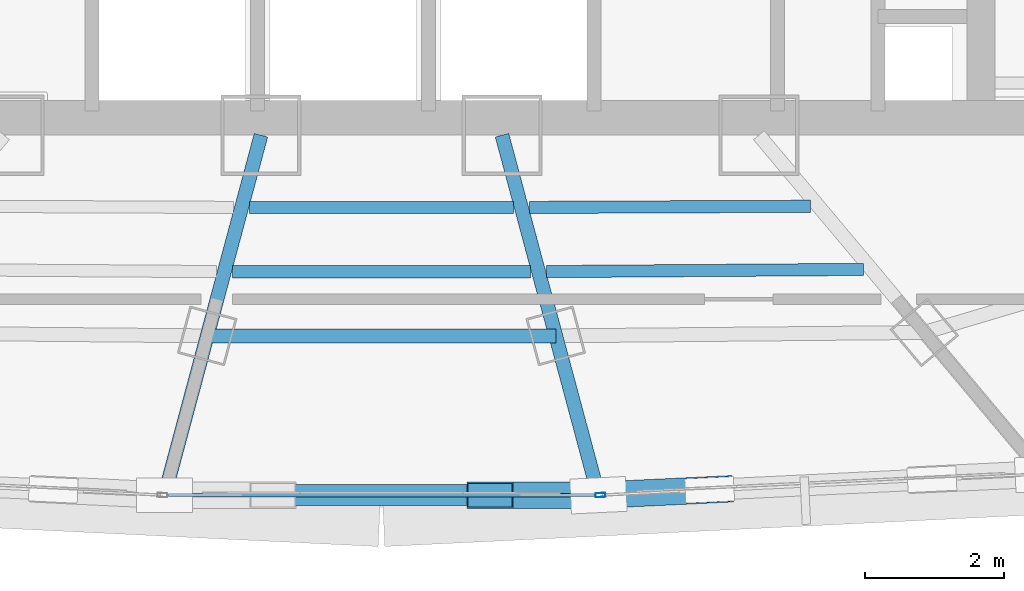
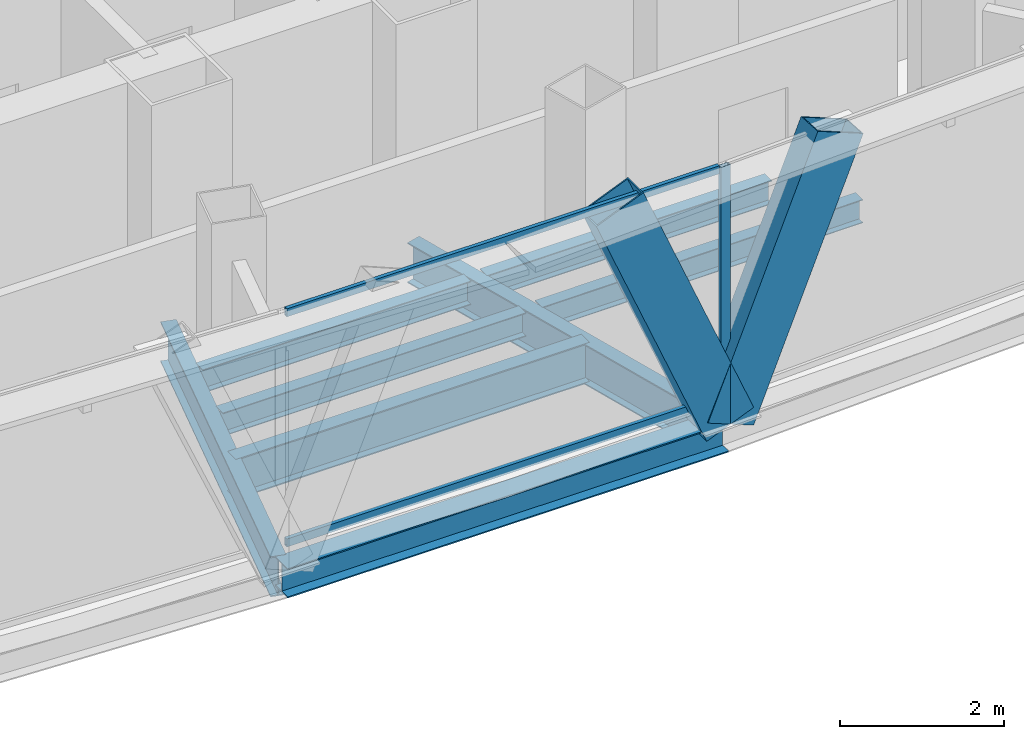
# One storey, part 5 of 30: 8 beams, 5 members, 2 elements without a shape of their own.
"""IFC4 building model written with IfcOpenShell, lengths in metres."""

import ifcopenshell
import ifcopenshell.guid

model = None  # the IFC model being written
_history = None  # IfcOwnerHistory: only IFC2X3 demands one
_inside = {}  # id of a spatial element -> (the spatial element, [elements in it])
_under = {}  # id of a project, library or spatial element -> (it, [spatial elements below it])
_declared = {}  # id of a project -> (the project, [libraries it declares])
_typed = {}  # id of a type object -> (the type object, [elements of that type])
_made_of = {}  # id of a material, layer set ... -> (it, [elements and type objects made of it])


def new_model(schema):
    """Start an empty IFC model of exactly this schema.

    Asked for "IFC4X3", IfcOpenShell would pick the latest addendum, in which some entities
    have other attributes; the version numbers below select the first issue.
    IFC2X3 requires an IfcOwnerHistory on every rooted entity: one is made here for all.
    """
    global model, _history
    if schema == "IFC4X3":
        model = ifcopenshell.file(schema_version=(4, 3, 0, 0))
    else:
        model = ifcopenshell.file(schema=schema)
    _inside.clear()
    _under.clear()
    _declared.clear()
    _typed.clear()
    _made_of.clear()
    _history = None
    if model.schema == "IFC2X3":
        org = make("IfcOrganization", Name="unknown")
        user = make(
            "IfcPersonAndOrganization",
            ThePerson=make("IfcPerson", FamilyName="unknown"),
            TheOrganization=org,
        )
        app = make(
            "IfcApplication",
            ApplicationDeveloper=org,
            Version="unknown",
            ApplicationFullName="unknown",
            ApplicationIdentifier="unknown",
        )
        _history = make(
            "IfcOwnerHistory",
            OwningUser=user,
            OwningApplication=app,
            ChangeAction="ADDED",
            CreationDate=0,
        )
    return model


def make(cls, **values):
    """One entity of the class cls with the attributes given. An attribute that is None is left unset."""
    return model.create_entity(
        cls, **{name: value for name, value in values.items() if value is not None}
    )


def rooted(cls, **values):
    """An entity with a GlobalId (a new one), such as an element, a storey or a relation."""
    return make(cls, GlobalId=ifcopenshell.guid.new(), OwnerHistory=_history, **values)


def si_unit(unit_type, name, prefix=None):
    """IfcSIUnit, for example si_unit("LENGTHUNIT", "METRE", prefix="MILLI")."""
    return make("IfcSIUnit", UnitType=unit_type, Prefix=prefix, Name=name)


def assignment(units):
    """IfcUnitAssignment: the units of a project."""
    return None if units is None else make("IfcUnitAssignment", Units=units)


def point(xyz):
    """IfcCartesianPoint."""
    return None if xyz is None else make("IfcCartesianPoint", Coordinates=xyz)


def direction(xyz):
    """IfcDirection."""
    return None if xyz is None else make("IfcDirection", DirectionRatios=xyz)


def frame(location, z_axis=None, x_axis=None):
    """IfcAxis2Placement3D, a coordinate frame: its origin and axes. An axis left out is left unset."""
    return make(
        "IfcAxis2Placement3D",
        Location=point(location),
        Axis=direction(z_axis),
        RefDirection=direction(x_axis),
    )


def frame_2d(location, x_axis=None):
    """IfcAxis2Placement2D, a coordinate frame in the plane: its origin and x axis."""
    return make(
        "IfcAxis2Placement2D", Location=point(location), RefDirection=direction(x_axis)
    )


def origin():
    """The frame at (0, 0, 0) with its axes left unset."""
    return frame((0.0, 0.0, 0.0))


def origin_2d():
    """The frame at (0, 0) in the plane with its x axis left unset."""
    return frame_2d((0.0, 0.0))


def place(relative_to, where):
    """IfcLocalPlacement: puts the frame where relative to a parent placement (None: the world)."""
    return make(
        "IfcLocalPlacement", PlacementRelTo=relative_to, RelativePlacement=where
    )


def context(
    kind, dimensions, precision=None, world=None, true_north=None, identifier=None
):
    """IfcGeometricRepresentationContext, for example the 3D "Model" context."""
    return make(
        "IfcGeometricRepresentationContext",
        ContextIdentifier=identifier,
        ContextType=kind,
        CoordinateSpaceDimension=dimensions,
        Precision=precision,
        WorldCoordinateSystem=world,
        TrueNorth=true_north,
    )


def subcontext(parent, identifier, kind, view, scale=None):
    """IfcGeometricRepresentationSubContext, for example "Body" below "Model"."""
    return make(
        "IfcGeometricRepresentationSubContext",
        ContextIdentifier=identifier,
        ContextType=kind,
        ParentContext=parent,
        TargetScale=scale,
        TargetView=view,
    )


def project(units=None, contexts=None):
    """IfcProject with its units and contexts."""
    return rooted(
        "IfcProject",
        Name="project",
        RepresentationContexts=contexts,
        UnitsInContext=assignment(units),
    )


def spatial(cls, under=None, at=None, **own):
    """A site, building, storey or space (cls), placed at a placement, below another one or the project."""
    s = rooted(cls, ObjectPlacement=at, **own)
    if under is not None:
        _under.setdefault(under.id(), (under, []))[1].append(s)
    return s


def profile(cls, at=None, kind="AREA", **sizes):
    """A parametric profile (cls). Its sizes go by their IFC names, for example OverallWidth=200.0."""
    return make(cls, ProfileType=kind, Position=at, **sizes)


def hollow_rectangle(**sizes):
    """IfcRectangleHollowProfileDef."""
    return profile("IfcRectangleHollowProfileDef", **sizes)


def i_section(**sizes):
    """IfcIShapeProfileDef."""
    return profile("IfcIShapeProfileDef", **sizes)


def extrude(swept, where, along, depth):
    """IfcExtrudedAreaSolid: the profile swept, set in the frame where, extruded along a direction by depth."""
    return make(
        "IfcExtrudedAreaSolid",
        SweptArea=swept,
        Position=where,
        ExtrudedDirection=direction(along),
        Depth=depth,
    )


def shape(context_of_items, identifier, shape_type, items):
    """IfcShapeRepresentation: the items that make up one representation, for example the "Body"."""
    return make(
        "IfcShapeRepresentation",
        ContextOfItems=context_of_items,
        RepresentationIdentifier=identifier,
        RepresentationType=shape_type,
        Items=items,
    )


def source(mapping_origin, context_of_items, identifier, shape_type, items):
    """IfcRepresentationMap: a shape defined once, which mapped items show again and again."""
    return make(
        "IfcRepresentationMap",
        MappingOrigin=mapping_origin,
        MappedRepresentation=shape(context_of_items, identifier, shape_type, items),
    )


def transform(
    local_origin,
    x_axis=None,
    y_axis=None,
    z_axis=None,
    scale=None,
    scale2=None,
    scale3=None,
    uniform=True,
):
    """IfcCartesianTransformationOperator3D, or its non-uniform kind. x_axis, y_axis, z_axis: its Axis1, 2, 3."""
    if uniform:
        return make(
            "IfcCartesianTransformationOperator3D",
            Axis1=direction(x_axis),
            Axis2=direction(y_axis),
            LocalOrigin=point(local_origin),
            Scale=scale,
            Axis3=direction(z_axis),
        )
    return make(
        "IfcCartesianTransformationOperator3DnonUniform",
        Axis1=direction(x_axis),
        Axis2=direction(y_axis),
        LocalOrigin=point(local_origin),
        Scale=scale,
        Axis3=direction(z_axis),
        Scale2=scale2,
        Scale3=scale3,
    )


def mapped(mapping_source, mapping_target):
    """IfcMappedItem: shows the shape of a source again, moved by a transform."""
    return make(
        "IfcMappedItem", MappingSource=mapping_source, MappingTarget=mapping_target
    )


def material(Name=None, Category=None):
    """IfcMaterial."""
    return make("IfcMaterial", Name=Name, Category=Category)


def layer(
    of_material, thickness, ventilated=None, Name=None, Category=None, Priority=None
):
    """IfcMaterialLayer: one layer of a wall or slab, of a material (None: an air gap)."""
    return make(
        "IfcMaterialLayer",
        Material=of_material,
        LayerThickness=thickness,
        IsVentilated=ventilated,
        Name=Name,
        Category=Category,
        Priority=Priority,
    )


def layer_set(layers, Name=None):
    """IfcMaterialLayerSet."""
    return make("IfcMaterialLayerSet", MaterialLayers=layers, LayerSetName=Name)


def material_profile(
    of_material, cross_section, Name=None, Category=None, Priority=None
):
    """IfcMaterialProfile: a cross section and its material."""
    return make(
        "IfcMaterialProfile",
        Name=Name,
        Material=of_material,
        Profile=cross_section,
        Priority=Priority,
        Category=Category,
    )


def profile_set(profiles, Name=None, composite=None):
    """IfcMaterialProfileSet."""
    return make(
        "IfcMaterialProfileSet",
        Name=Name,
        MaterialProfiles=profiles,
        CompositeProfile=composite,
    )


def made_of(thing, what):
    """Note that an element or type object is made of a material, layer set ...; save() writes the relation."""
    if what is not None:
        _made_of.setdefault(what.id(), (what, []))[1].append(thing)
    return thing


def type_object(cls, material=None, **own):
    """A type object (cls), such as IfcWallType, which elements share."""
    return made_of(rooted(cls, **own), material)


def element(
    cls,
    number,
    at=None,
    inside=None,
    cuts=None,
    type_object=None,
    material=None,
    context=None,
    identifier="Body",
    shape_type=None,
    held_by="IfcProductDefinitionShape",
    body=None,
    shapes=None,
    **own,
):
    """One element of the class cls, such as IfcWall. Its Tag is "e" and its number.

    at: its placement. inside: the storey or other place that contains it. cuts: it is an
    opening in that element (IfcRelVoidsElement). A single representation is given by context,
    identifier, shape_type and body (its items); several are given by shapes. held_by: the class
    of the entity that holds the representations. save() writes the other relations.
    """
    e = rooted(cls, Tag="e%d" % number, ObjectPlacement=at, **own)
    if body is not None:
        shapes = [shape(context, identifier, shape_type, body)]
    if shapes is not None:
        e.Representation = make(held_by, Representations=shapes)
    if inside is not None:
        _inside.setdefault(inside.id(), (inside, []))[1].append(e)
    if cuts is not None:
        rooted(
            "IfcRelVoidsElement", RelatingBuildingElement=cuts, RelatedOpeningElement=e
        )
    if type_object is not None:
        _typed.setdefault(type_object.id(), (type_object, []))[1].append(e)
    return made_of(e, material)


def aggregate(whole, parts):
    """IfcRelAggregates: a whole, such as a stair, and the parts it consists of."""
    return rooted("IfcRelAggregates", RelatingObject=whole, RelatedObjects=parts)


def save(model, path):
    """Write the relations noted so far, then the file.

    IfcRelAggregates (storeys below a building ...), IfcRelContainedInSpatialStructure (elements
    in a storey), IfcRelDefinesByType, IfcRelAssociatesMaterial and IfcRelDeclares: one each for
    every whole, place, type object, material and project.
    """
    for whole, parts in _under.values():
        aggregate(whole, parts)
    for where, things in _inside.values():
        rooted(
            "IfcRelContainedInSpatialStructure",
            RelatedElements=things,
            RelatingStructure=where,
        )
    for kind, things in _typed.values():
        rooted("IfcRelDefinesByType", RelatedObjects=things, RelatingType=kind)
    for what, things in _made_of.values():
        rooted("IfcRelAssociatesMaterial", RelatedObjects=things, RelatingMaterial=what)
    for by, libraries in _declared.values():
        rooted("IfcRelDeclares", RelatingContext=by, RelatedDefinitions=libraries)
    model.write(path)


model = new_model("IFC4")

# Units and contexts
model_context = context("Model", 3, precision=1e-05, world=origin(), true_north=direction((0.0, 1.0)))
body_context = subcontext(model_context, "Body", "Model", "MODEL_VIEW")
ifc_project = project(units=[si_unit("LENGTHUNIT", "METRE"), si_unit("AREAUNIT", "SQUARE_METRE"), si_unit("VOLUMEUNIT", "CUBIC_METRE"), si_unit("PLANEANGLEUNIT", "RADIAN"), si_unit("MASSUNIT", "GRAM", prefix="KILO"), si_unit("THERMODYNAMICTEMPERATUREUNIT", "KELVIN"), si_unit("POWERUNIT", "WATT")], contexts=[model_context])

# Site, building, storey
site_placement = place(None, origin())
site = spatial("IfcSite", under=ifc_project, at=site_placement, CompositionType="ELEMENT")
building_placement = place(site_placement, origin())
building = spatial("IfcBuilding", under=site, at=building_placement, Name="Yunzhuo Pagoda Commons", CompositionType="ELEMENT")
storey_placement = place(building_placement, frame((0.0, 0.0, 351.760009765625)))
storey = spatial("IfcBuildingStorey", under=building, at=storey_placement, Name="L88", CompositionType="ELEMENT", Elevation=351.760009765625)

# Beams
ifc_material_1 = material(Name="Structural steel Q355B", Category="steel")
ifc_material_profile_1 = material_profile(ifc_material_1, i_section(OverallWidth=0.199951171875, OverallDepth=0.60009765625, WebThickness=0.010986328125, FlangeThickness=0.01708984375, at=origin_2d()), Name="Structural steel Q355B")
ifc_profile_set_1 = profile_set([ifc_material_profile_1], Name="Structural steel Q355B")
beam_type_1 = type_object("IfcBeamType", Name="B-RG3 Beam HN 600x200x11x17", PredefinedType="BEAM", material=ifc_profile_set_1)
shared_shape_1 = source(origin(), body_context, "Body", "SweptSolid", [
    extrude(i_section(OverallWidth=0.199951171875, OverallDepth=0.60009765625, WebThickness=0.010986328125, FlangeThickness=0.01708984375, at=origin_2d()), origin(), (0.0, 0.0, 1.0), 4.99853515625),
])
beam_1_placement = place(storey_placement, frame((45.500732421875, 24.372802734375, -0.56005859375), z_axis=(1.0, 0.0, 0.0), x_axis=(0.0, 1.0, 0.0)))
element("IfcBeam", 1, at=beam_1_placement, inside=storey, type_object=beam_type_1, Name="L88 column-ring beam 2", PredefinedType="BEAM", context=body_context, shape_type="MappedRepresentation", body=[
    mapped(shared_shape_1, transform((0.0, 0.0, 0.0), scale=1.0)),
])
ifc_material_profile_2 = material_profile(ifc_material_1, i_section(OverallWidth=0.175048828125, OverallDepth=0.35009765625, WebThickness=0.007080078125, FlangeThickness=0.010986328125, at=origin_2d()), Name="Structural steel Q355B")
ifc_profile_set_2 = profile_set([ifc_material_profile_2], Name="Structural steel Q355B")
beam_type_2 = type_object("IfcBeamType", Name="B-JS2 Joist HN 350x175x7x11", PredefinedType="JOIST", material=ifc_profile_set_2)
shared_shape_2 = source(origin(), body_context, "Body", "SweptSolid", [
    extrude(i_section(OverallWidth=0.175048828125, OverallDepth=0.35009765625, WebThickness=0.007080078125, FlangeThickness=0.010986328125, at=origin_2d()), origin(), (0.0, 0.0, 1.0), 4.03076171875),
])
beam_2_placement = place(storey_placement, frame((50.120849609375, 26.214599609375, -0.43505859375), z_axis=(0.999991518197, 0.004118680996, 0.0), x_axis=(-0.004118680996, 0.999991518197, 0.0)))
element("IfcBeam", 2, at=beam_2_placement, inside=storey, type_object=beam_type_2, Name="L88 composite ring joist 1.3", PredefinedType="JOIST", context=body_context, shape_type="MappedRepresentation", body=[
    mapped(shared_shape_2, transform((0.0, 0.0, 0.0), scale=1.0)),
])
shared_shape_3 = source(origin(), body_context, "Body", "SweptSolid", [
    extrude(i_section(OverallWidth=0.175048828125, OverallDepth=0.35009765625, WebThickness=0.007080078125, FlangeThickness=0.010986328125, at=origin_2d()), origin(), (0.0, 0.0, 1.0), 4.54345703125),
])
beam_3_placement = place(storey_placement, frame((50.367431640625, 25.29443359375, -0.43505859375), z_axis=(0.999975976237, 0.006931590593, 0.0), x_axis=(-0.006931590593, 0.999975976237, 0.0)))
element("IfcBeam", 3, at=beam_3_placement, inside=storey, type_object=beam_type_2, Name="L88 composite ring joist 2.3", PredefinedType="JOIST", context=body_context, shape_type="MappedRepresentation", body=[
    mapped(shared_shape_3, transform((0.0, 0.0, 0.0), scale=1.0)),
])
shared_shape_4 = source(origin(), body_context, "Body", "SweptSolid", [
    extrude(i_section(OverallWidth=0.175048828125, OverallDepth=0.35009765625, WebThickness=0.007080078125, FlangeThickness=0.010986328125, at=origin_2d()), origin(), (0.0, 0.0, 1.0), 3.78173828125),
])
beam_4_placement = place(storey_placement, frame((46.109130859375, 26.214111328125, -0.43505859375), z_axis=(1.0, 0.0, 0.0), x_axis=(0.0, 1.0, 0.0)))
element("IfcBeam", 4, at=beam_4_placement, inside=storey, type_object=beam_type_2, Name="L88 composite ring joist 1.2", PredefinedType="JOIST", context=body_context, shape_type="MappedRepresentation", body=[
    mapped(shared_shape_4, transform((0.0, 0.0, 0.0), scale=1.0)),
])
shared_shape_5 = source(origin(), body_context, "Body", "SweptSolid", [
    extrude(i_section(OverallWidth=0.175048828125, OverallDepth=0.35009765625, WebThickness=0.007080078125, FlangeThickness=0.010986328125, at=origin_2d()), origin(), (0.0, 0.0, 1.0), 4.27490234375),
])
beam_5_placement = place(storey_placement, frame((45.862548828125, 25.29345703125, -0.43505859375), z_axis=(1.0, 0.0, 0.0), x_axis=(0.0, 1.0, 0.0)))
element("IfcBeam", 5, at=beam_5_placement, inside=storey, type_object=beam_type_2, Name="L88 composite ring joist 2.2", PredefinedType="JOIST", context=body_context, shape_type="MappedRepresentation", body=[
    mapped(shared_shape_5, transform((0.0, 0.0, 0.0), scale=1.0)),
])
shared_shape_6 = source(origin(), body_context, "Body", "SweptSolid", [
    extrude(i_section(OverallWidth=0.199951171875, OverallDepth=0.60009765625, WebThickness=0.010986328125, FlangeThickness=0.01708984375, at=origin_2d()), origin(), (0.0, 0.0, 1.0), 5.189453125),
])
for number, where, z_axis, x_axis, name in (
    (6, (44.9287109375, 22.2373046875, -0.56005859375), (0.258839551131, 0.965920331482, 0.0), (-0.965920331482, 0.258839551131, 0.0), "L88 radial floor girder F1C2"),
    (7, (51.0712890625, 22.2373046875, -0.56005859375), (-0.258751762449, 0.96594385211, 0.0), (-0.96594385211, -0.258751762449, 0.0), "L88 radial floor girder F1C3"),
):
    element("IfcBeam", number, at=place(storey_placement, frame(where, z_axis=z_axis, x_axis=x_axis)), inside=storey, type_object=beam_type_1, Name=name, PredefinedType="BEAM", context=body_context, shape_type="MappedRepresentation", body=[
        mapped(shared_shape_6, transform((0.0, 0.0, 0.0), scale=1.0)),
    ])
ifc_material_profile_3 = material_profile(ifc_material_1, i_section(OverallWidth=0.300048828125, OverallDepth=0.43994140625, WebThickness=0.010986328125, FlangeThickness=0.01806640625, at=origin_2d()), Name="Structural steel Q355B")
ifc_profile_set_3 = profile_set([ifc_material_profile_3], Name="Structural steel Q355B")
beam_type_3 = type_object("IfcBeamType", Name="B-SP2 Beam HM 440x300x11x18", PredefinedType="BEAM", material=ifc_profile_set_3)
shared_shape_7 = source(origin(), body_context, "Body", "SweptSolid", [
    extrude(i_section(OverallWidth=0.300048828125, OverallDepth=0.43994140625, WebThickness=0.010986328125, FlangeThickness=0.01806640625, at=origin_2d()), origin(), (0.0, 0.0, 1.0), 6.22314453125),
])
beam_6_placement = place(storey_placement, frame((44.888427734375, 22.087890625, -0.47998046875), z_axis=(1.0, 0.0, 0.0), x_axis=(0.0, 1.0, 0.0)))
element("IfcBeam", 8, at=beam_6_placement, inside=storey, type_object=beam_type_3, Name="L88 facade edge spandrel beam F1.2", PredefinedType="BEAM", context=body_context, shape_type="MappedRepresentation", body=[
    mapped(shared_shape_7, transform((0.0, 0.0, 0.0), scale=1.0)),
])

# Members
ifc_material_profile_4 = material_profile(ifc_material_1, hollow_rectangle(XDim=0.3798828125, YDim=0.719970703125, WallThickness=0.02001953125, at=origin_2d()), Name="Structural steel Q355B")
ifc_profile_set_4 = profile_set([ifc_material_profile_4], Name="Structural steel Q355B")
member_type_1 = type_object("IfcMemberType", Name="M-DL3 Brace BOX 720x380x20", PredefinedType="BRACE", material=ifc_profile_set_4)
shared_shape_8 = source(origin(), body_context, "Body", "SweptSolid", [
    extrude(hollow_rectangle(XDim=0.3798828125, YDim=0.719970703125, WallThickness=0.02001953125, at=origin_2d()), origin(), (0.0, 0.0, 1.0), 4.075439453125),
])
member_1_placement = place(storey_placement, frame((51.111572265625, 22.087890625, -0.260009765625), z_axis=(0.391122616009, 0.018750402636, 0.92014755428), x_axis=(-0.04788496619, 0.998852857038, 0.0)))
element("IfcMember", 9, at=member_1_placement, inside=storey, type_object=member_type_1, Name="L88 facade diamond brace F1.3L", PredefinedType="BRACE", context=body_context, shape_type="MappedRepresentation", body=[
    mapped(shared_shape_8, transform((0.0, 0.0, 0.0), scale=1.0)),
])
shared_shape_9 = source(origin(), body_context, "Body", "SweptSolid", [
    extrude(hollow_rectangle(XDim=0.3798828125, YDim=0.719970703125, WallThickness=0.02001953125, at=origin_2d()), origin(), (0.0, 0.0, 1.0), 4.059814453125),
])
member_2_placement = place(storey_placement, frame((51.111572265625, 22.087890625, -0.260009765625), z_axis=(-0.383180219936, 0.0, 0.923673599845), x_axis=(0.0, -1.0, 0.0)))
element("IfcMember", 10, at=member_2_placement, inside=storey, type_object=member_type_1, Name="L88 facade diamond brace F1.2R", PredefinedType="BRACE", context=body_context, shape_type="MappedRepresentation", body=[
    mapped(shared_shape_9, transform((0.0, 0.0, 0.0), scale=1.0)),
])

# Curtain wall, member
ifc_material_2 = material(Name="Anodized aluminium 6063-T6", Category="aluminium")
ifc_layer = layer(ifc_material_2, 0.139892578125)
ifc_layer_set = layer_set([ifc_layer], Name="Anodized aluminium 6063-T6")
curtain_wall_type = type_object("IfcCurtainWallType", Name="CW-HI High-Zone Ribbon Curtain Wall", PredefinedType="NOTDEFINED", material=ifc_layer_set)
curtain_wall_1_placement = place(storey_placement, origin())
curtain_wall_1 = element("IfcCurtainWall", 11, at=curtain_wall_1_placement, inside=storey, type_object=curtain_wall_type, Name="L88 curtain wall CW-L88-F1B4", PredefinedType="NOTDEFINED")
ifc_material_profile_5 = material_profile(ifc_material_2, hollow_rectangle(XDim=0.06005859375, YDim=0.139892578125, WallThickness=0.00341796875, at=origin_2d()), Name="Anodized aluminium 6063-T6")
ifc_profile_set_5 = profile_set([ifc_material_profile_5], Name="Anodized aluminium 6063-T6")
member_type_2 = type_object("IfcMemberType", Name="CW-HI-M Mullion RHS 140x60x3.5", PredefinedType="MULLION", material=ifc_profile_set_5)
shared_shape_10 = source(origin(), body_context, "Body", "SweptSolid", [
    extrude(hollow_rectangle(XDim=0.06005859375, YDim=0.139892578125, WallThickness=0.00341796875, at=origin_2d()), origin(), (0.0, 0.0, 1.0), 3.489990234375),
])
member_3_placement = place(storey_placement, frame((51.141357421875, 22.089111328125, 0.0), z_axis=(0.0, 0.0, 1.0), x_axis=(-0.047859147719, 0.99885409444, 0.0)))
member_3 = element("IfcMember", 12, at=member_3_placement, type_object=member_type_2, Name="CW mullion 1", PredefinedType="MULLION", context=body_context, shape_type="MappedRepresentation", body=[
    mapped(shared_shape_10, transform((0.0, 0.0, 0.0), scale=1.0)),
])
aggregate(curtain_wall_1, [member_3])

# Curtain wall, members
curtain_wall_2_placement = place(storey_placement, origin())
curtain_wall_2 = element("IfcCurtainWall", 13, at=curtain_wall_2_placement, inside=storey, type_object=curtain_wall_type, Name="L88 curtain wall CW-L88-F1B3", PredefinedType="NOTDEFINED")
ifc_material_profile_6 = material_profile(ifc_material_2, hollow_rectangle(XDim=0.054931640625, YDim=0.1201171875, WallThickness=0.00341796875, at=origin_2d()), Name="Anodized aluminium 6063-T6")
ifc_profile_set_6 = profile_set([ifc_material_profile_6], Name="Anodized aluminium 6063-T6")
member_type_3 = type_object("IfcMemberType", Name="CW-HI-T Transom RHS 120x55x3.5", PredefinedType="USERDEFINED", material=ifc_profile_set_6)
shared_shape_11 = source(origin(), body_context, "Body", "SweptSolid", [
    extrude(hollow_rectangle(XDim=0.054931640625, YDim=0.1201171875, WallThickness=0.00341796875, at=origin_2d()), origin(), (0.0, 0.0, 1.0), 6.10302734375),
])
member_4_placement = place(storey_placement, frame((44.948486328125, 22.087890625, 0.027587890625), z_axis=(1.0, 0.0, 0.0), x_axis=(0.0, 1.0, 0.0)))
member_4 = element("IfcMember", 14, at=member_4_placement, type_object=member_type_3, Name="CW transom 1.1", ObjectType="TRANSOM", PredefinedType="USERDEFINED", context=body_context, shape_type="MappedRepresentation", body=[
    mapped(shared_shape_11, transform((0.0, 0.0, 0.0), scale=1.0)),
])
member_5_placement = place(storey_placement, frame((44.948486328125, 22.087890625, 3.46240234375), z_axis=(1.0, 0.0, 0.0), x_axis=(0.0, 1.0, 0.0)))
member_5 = element("IfcMember", 15, at=member_5_placement, type_object=member_type_3, Name="CW transom 1.2", ObjectType="TRANSOM", PredefinedType="USERDEFINED", context=body_context, shape_type="MappedRepresentation", body=[
    mapped(shared_shape_11, transform((0.0, 0.0, 0.0), scale=1.0)),
])
aggregate(curtain_wall_2, [member_4, member_5])

save(model, "model.ifc")
